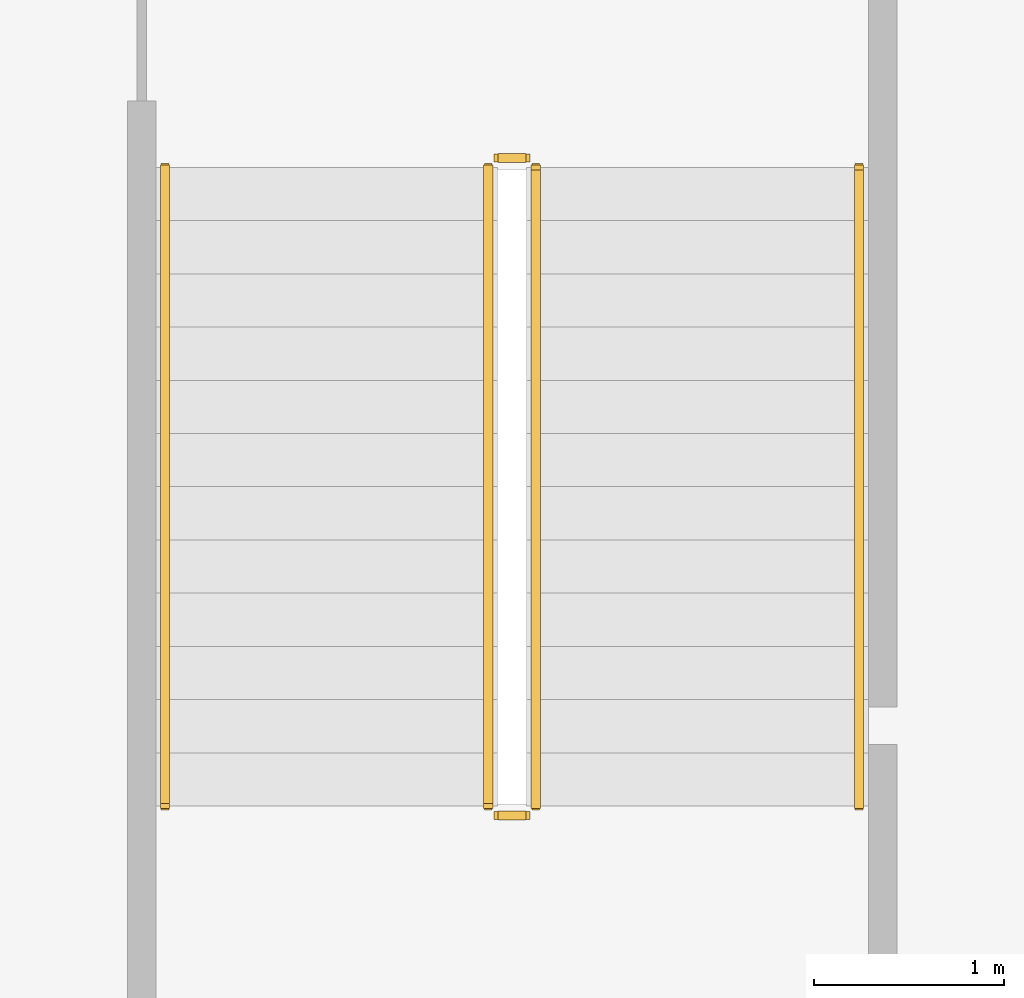
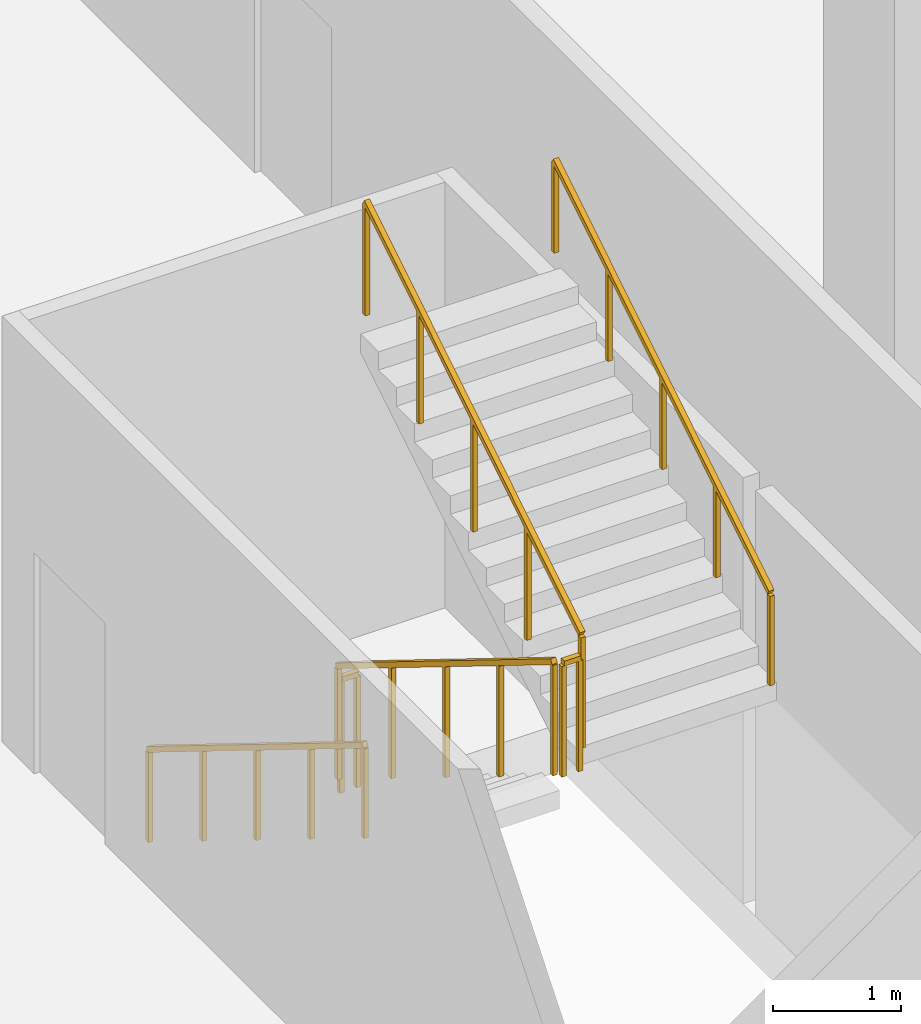
# One storey, part 16 of 16: 6 railings.
"""IFC4 building model written with IfcOpenShell, lengths in metres."""

from ifc_helpers import new_model, si_unit, direction, frame, origin, origin_with_axes, origin_2d, place, context, subcontext, project, spatial, rectangle, extrude, material, type_object, element, save


model = new_model("IFC4")

# Units and contexts
model_context = context("Model", 3, precision=1e-05, world=origin(), true_north=direction((0.0, 1.0)))
body_context = subcontext(model_context, "Body", "Model", "MODEL_VIEW")
ifc_project = project(units=[si_unit("LENGTHUNIT", "METRE"), si_unit("AREAUNIT", "SQUARE_METRE"), si_unit("VOLUMEUNIT", "CUBIC_METRE"), si_unit("PLANEANGLEUNIT", "RADIAN"), si_unit("MASSUNIT", "GRAM", prefix="KILO")], contexts=[model_context])

# Site, building, storey
site_placement = place(None, origin())
site = spatial("IfcSite", under=ifc_project, at=site_placement, CompositionType="ELEMENT")
building_placement = place(site_placement, origin())
building = spatial("IfcBuilding", under=site, at=building_placement, Name="Alderwake Tower", CompositionType="ELEMENT")
storey_placement = place(building_placement, frame((0.0, 0.0, 18.5)))
storey = spatial("IfcBuildingStorey", under=building, at=storey_placement, Name="L03", CompositionType="ELEMENT", Elevation=18.5)

# Railings
ifc_material_1 = material(Name="Stainless steel guard", Category="steel")
railing_type_1 = type_object("IfcRailingType", Name="Stair guard 1100", PredefinedType="GUARDRAIL", material=ifc_material_1)
railing_1_placement = place(storey_placement, frame((66.75, 93.199951171875, 0.173095703125)))
element("IfcRailing", 1, at=railing_1_placement, inside=storey, type_object=railing_type_1, Name="L03 ST-P3 stair guard 1", PredefinedType="GUARDRAIL", context=body_context, shape_type="SweptSolid", body=[
    extrude(rectangle(XDim=0.048095703125, YDim=0.048095703125, at=origin_2d()), frame((0.0, 0.0, 1.076171875), z_axis=(0.0, -0.850606129759, 0.525803396734), x_axis=(1.0, 0.0, 0.0)), (0.0, 0.0, 1.0), 3.949951171875),
    extrude(rectangle(XDim=0.0419921875, YDim=0.0419921875, at=origin_2d()), frame((0.0, 0.0, 0.0), z_axis=(0.0, 0.0, 1.0), x_axis=(0.0, -1.0, 0.0)), (0.0, 0.0, 1.0), 1.052001953125),
    extrude(rectangle(XDim=0.0419921875, YDim=0.0419921875, at=origin_2d()), frame((0.0, -0.83984375, 0.519287109375), z_axis=(0.0, 0.0, 1.0), x_axis=(0.0, -1.0, 0.0)), (0.0, 0.0, 1.0), 1.052001953125),
    extrude(rectangle(XDim=0.0419921875, YDim=0.0419921875, at=origin_2d()), frame((0.0, -1.679931640625, 1.03857421875), z_axis=(0.0, 0.0, 1.0), x_axis=(0.0, -1.0, 0.0)), (0.0, 0.0, 1.0), 1.052001953125),
    extrude(rectangle(XDim=0.0419921875, YDim=0.0419921875, at=origin_2d()), frame((0.0, -2.52001953125, 1.5576171875), z_axis=(0.0, 0.0, 1.0), x_axis=(0.0, -1.0, 0.0)), (0.0, 0.0, 1.0), 1.052001953125),
    extrude(rectangle(XDim=0.0419921875, YDim=0.0419921875, at=origin_2d()), frame((0.0, -3.35986328125, 2.076904296875), z_axis=(0.0, 0.0, 1.0), x_axis=(0.0, -1.0, 0.0)), (0.0, 0.0, 1.0), 1.052001953125),
])
railing_2_placement = place(storey_placement, frame((66.800048828125, 89.7900390625, 2.25)))
element("IfcRailing", 2, at=railing_2_placement, inside=storey, type_object=railing_type_1, Name="L03 ST-P3 stair guard 2", PredefinedType="GUARDRAIL", context=body_context, shape_type="SweptSolid", body=[
    extrude(rectangle(XDim=0.048095703125, YDim=0.048095703125, at=origin_2d()), frame((0.0, 0.0, 1.076171875), z_axis=(1.0, 0.0, 0.0), x_axis=(0.0, 1.0, 0.0)), (0.0, 0.0, 1.0), 0.14990234375),
    extrude(rectangle(XDim=0.0419921875, YDim=0.0419921875, at=origin_2d()), origin_with_axes(), (0.0, 0.0, 1.0), 1.052001953125),
    extrude(rectangle(XDim=0.0419921875, YDim=0.0419921875, at=origin_2d()), frame((0.14990234375, 0.0, 0.0), z_axis=(0.0, 0.0, 1.0), x_axis=(1.0, 0.0, 0.0)), (0.0, 0.0, 1.0), 1.052001953125),
])
railing_3_placement = place(storey_placement, frame((67.0, 89.840087890625, 2.423095703125)))
element("IfcRailing", 3, at=railing_3_placement, inside=storey, type_object=railing_type_1, Name="L03 ST-P3 stair guard 3", PredefinedType="GUARDRAIL", context=body_context, shape_type="SweptSolid", body=[
    extrude(rectangle(XDim=0.048095703125, YDim=0.048095703125, at=origin_2d()), frame((0.0, 0.0, 1.076171875), z_axis=(0.0, 0.850606129759, 0.525803396734), x_axis=(-1.0, 0.0, 0.0)), (0.0, 0.0, 1.0), 3.949951171875),
    extrude(rectangle(XDim=0.0419921875, YDim=0.0419921875, at=origin_2d()), frame((0.0, 0.0, 0.0), z_axis=(0.0, 0.0, 1.0), x_axis=(0.0, 1.0, 0.0)), (0.0, 0.0, 1.0), 1.052001953125),
    extrude(rectangle(XDim=0.0419921875, YDim=0.0419921875, at=origin_2d()), frame((0.0, 0.83984375, 0.519287109375), z_axis=(0.0, 0.0, 1.0), x_axis=(0.0, 1.0, 0.0)), (0.0, 0.0, 1.0), 1.052001953125),
    extrude(rectangle(XDim=0.0419921875, YDim=0.0419921875, at=origin_2d()), frame((0.0, 1.679931640625, 1.03857421875), z_axis=(0.0, 0.0, 1.0), x_axis=(0.0, 1.0, 0.0)), (0.0, 0.0, 1.0), 1.052001953125),
    extrude(rectangle(XDim=0.0419921875, YDim=0.0419921875, at=origin_2d()), frame((0.0, 2.52001953125, 1.5576171875), z_axis=(0.0, 0.0, 1.0), x_axis=(0.0, 1.0, 0.0)), (0.0, 0.0, 1.0), 1.052001953125),
    extrude(rectangle(XDim=0.0419921875, YDim=0.0419921875, at=origin_2d()), frame((0.0, 3.35986328125, 2.076904296875), z_axis=(0.0, 0.0, 1.0), x_axis=(0.0, 1.0, 0.0)), (0.0, 0.0, 1.0), 1.052001953125),
])
railing_4_placement = place(storey_placement, frame((66.800048828125, 93.25, 0.0)))
element("IfcRailing", 4, at=railing_4_placement, inside=storey, type_object=railing_type_1, Name="L03 ST-P3 stair guard 4", PredefinedType="GUARDRAIL", context=body_context, shape_type="SweptSolid", body=[
    extrude(rectangle(XDim=0.048095703125, YDim=0.048095703125, at=origin_2d()), frame((0.0, 0.0, 1.076171875), z_axis=(1.0, 0.0, 0.0), x_axis=(0.0, 1.0, 0.0)), (0.0, 0.0, 1.0), 0.14990234375),
    extrude(rectangle(XDim=0.0419921875, YDim=0.0419921875, at=origin_2d()), origin_with_axes(), (0.0, 0.0, 1.0), 1.052001953125),
    extrude(rectangle(XDim=0.0419921875, YDim=0.0419921875, at=origin_2d()), frame((0.14990234375, 0.0, 0.0), z_axis=(0.0, 0.0, 1.0), x_axis=(1.0, 0.0, 0.0)), (0.0, 0.0, 1.0), 1.052001953125),
])
ifc_material_2 = material(Name="Stainless steel handrail", Category="steel")
railing_type_2 = type_object("IfcRailingType", Name="Stair handrail 900", PredefinedType="HANDRAIL", material=ifc_material_2)
railing_5_placement = place(storey_placement, frame((65.050048828125, 93.199951171875, 0.173095703125)))
element("IfcRailing", 5, at=railing_5_placement, inside=storey, type_object=railing_type_2, Name="L03 ST-P3 stair handrail 1", PredefinedType="HANDRAIL", context=body_context, shape_type="SweptSolid", body=[
    extrude(rectangle(XDim=0.048095703125, YDim=0.048095703125, at=origin_2d()), frame((0.0, 0.0, 0.8759765625), z_axis=(0.0, -0.850606129759, 0.525803396734), x_axis=(1.0, 0.0, 0.0)), (0.0, 0.0, 1.0), 3.949951171875),
    extrude(rectangle(XDim=0.0419921875, YDim=0.0419921875, at=origin_2d()), frame((0.0, 0.0, 0.0), z_axis=(0.0, 0.0, 1.0), x_axis=(0.0, -1.0, 0.0)), (0.0, 0.0, 1.0), 0.851806640625),
    extrude(rectangle(XDim=0.0419921875, YDim=0.0419921875, at=origin_2d()), frame((0.0, -0.83984375, 0.519287109375), z_axis=(0.0, 0.0, 1.0), x_axis=(0.0, -1.0, 0.0)), (0.0, 0.0, 1.0), 0.851806640625),
    extrude(rectangle(XDim=0.0419921875, YDim=0.0419921875, at=origin_2d()), frame((0.0, -1.679931640625, 1.03857421875), z_axis=(0.0, 0.0, 1.0), x_axis=(0.0, -1.0, 0.0)), (0.0, 0.0, 1.0), 0.851806640625),
    extrude(rectangle(XDim=0.0419921875, YDim=0.0419921875, at=origin_2d()), frame((0.0, -2.52001953125, 1.5576171875), z_axis=(0.0, 0.0, 1.0), x_axis=(0.0, -1.0, 0.0)), (0.0, 0.0, 1.0), 0.851806640625),
    extrude(rectangle(XDim=0.0419921875, YDim=0.0419921875, at=origin_2d()), frame((0.0, -3.35986328125, 2.076904296875), z_axis=(0.0, 0.0, 1.0), x_axis=(0.0, -1.0, 0.0)), (0.0, 0.0, 1.0), 0.851806640625),
])
railing_6_placement = place(storey_placement, frame((68.699951171875, 89.840087890625, 2.423095703125)))
element("IfcRailing", 6, at=railing_6_placement, inside=storey, type_object=railing_type_2, Name="L03 ST-P3 stair handrail 2", PredefinedType="HANDRAIL", context=body_context, shape_type="SweptSolid", body=[
    extrude(rectangle(XDim=0.048095703125, YDim=0.048095703125, at=origin_2d()), frame((0.0, 0.0, 0.8759765625), z_axis=(0.0, 0.850606129759, 0.525803396734), x_axis=(-1.0, 0.0, 0.0)), (0.0, 0.0, 1.0), 3.949951171875),
    extrude(rectangle(XDim=0.0419921875, YDim=0.0419921875, at=origin_2d()), frame((0.0, 0.0, 0.0), z_axis=(0.0, 0.0, 1.0), x_axis=(0.0, 1.0, 0.0)), (0.0, 0.0, 1.0), 0.851806640625),
    extrude(rectangle(XDim=0.0419921875, YDim=0.0419921875, at=origin_2d()), frame((0.0, 0.83984375, 0.519287109375), z_axis=(0.0, 0.0, 1.0), x_axis=(0.0, 1.0, 0.0)), (0.0, 0.0, 1.0), 0.851806640625),
    extrude(rectangle(XDim=0.0419921875, YDim=0.0419921875, at=origin_2d()), frame((0.0, 1.679931640625, 1.03857421875), z_axis=(0.0, 0.0, 1.0), x_axis=(0.0, 1.0, 0.0)), (0.0, 0.0, 1.0), 0.851806640625),
    extrude(rectangle(XDim=0.0419921875, YDim=0.0419921875, at=origin_2d()), frame((0.0, 2.52001953125, 1.5576171875), z_axis=(0.0, 0.0, 1.0), x_axis=(0.0, 1.0, 0.0)), (0.0, 0.0, 1.0), 0.851806640625),
    extrude(rectangle(XDim=0.0419921875, YDim=0.0419921875, at=origin_2d()), frame((0.0, 3.35986328125, 2.076904296875), z_axis=(0.0, 0.0, 1.0), x_axis=(0.0, 1.0, 0.0)), (0.0, 0.0, 1.0), 0.851806640625),
])

save(model, "model.ifc")
